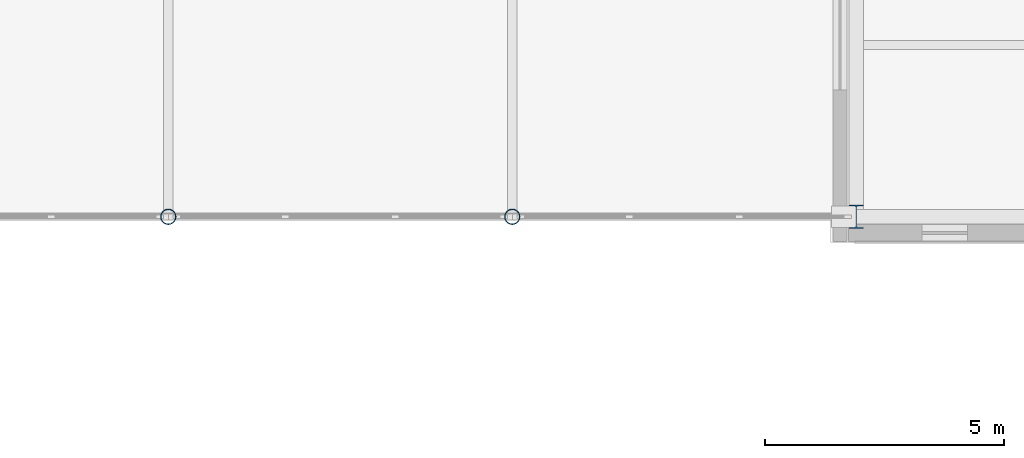
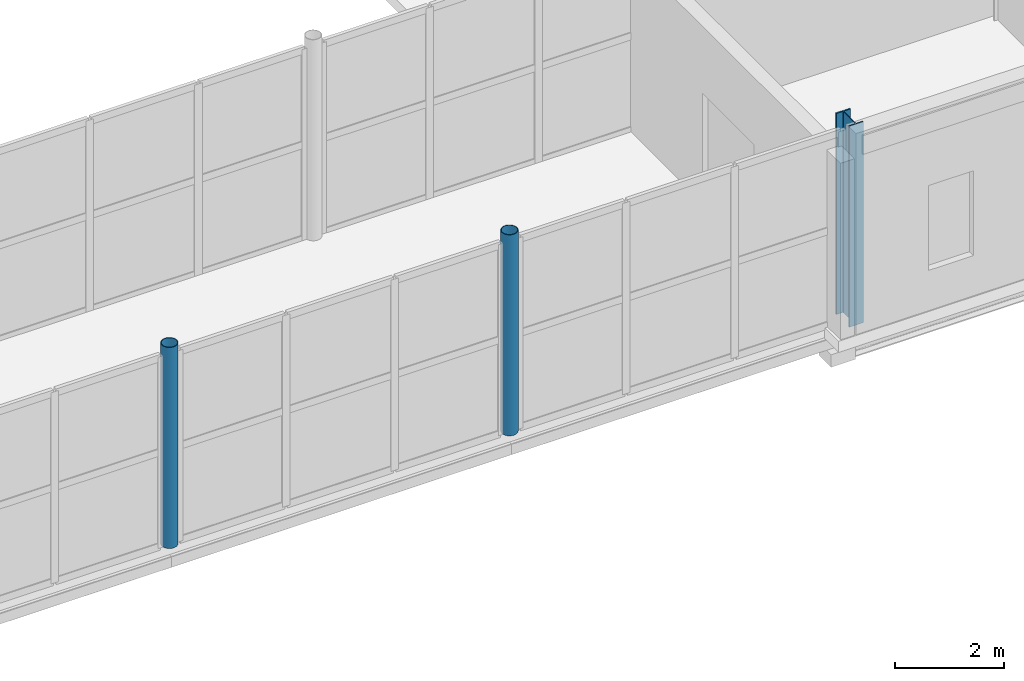
# One storey, part 11 of 92: 3 columns.
"""IFC4 building model written with IfcOpenShell, lengths in metres."""

from ifc_helpers import new_model, si_unit, direction, frame, origin, origin_2d, place, context, subcontext, project, spatial, hollow_circle, i_section, extrude, material, material_profile, profile_set, type_object, element, save


model = new_model("IFC4")

# Units and contexts
model_context = context("Model", 3, precision=1e-05, world=origin(), true_north=direction((0.0, 1.0)))
body_context = subcontext(model_context, "Body", "Model", "MODEL_VIEW")
ifc_project = project(units=[si_unit("LENGTHUNIT", "METRE"), si_unit("AREAUNIT", "SQUARE_METRE"), si_unit("VOLUMEUNIT", "CUBIC_METRE"), si_unit("PLANEANGLEUNIT", "RADIAN"), si_unit("MASSUNIT", "GRAM", prefix="KILO")], contexts=[model_context])

# Site, building, storey
site_placement = place(None, origin())
site = spatial("IfcSite", under=ifc_project, at=site_placement, CompositionType="ELEMENT")
building_placement = place(site_placement, origin())
building = spatial("IfcBuilding", under=site, at=building_placement, Name="Zlatovets Crest Museum", CompositionType="ELEMENT")
storey_placement = place(building_placement, origin())
storey = spatial("IfcBuildingStorey", under=building, at=storey_placement, Name="L00", CompositionType="ELEMENT", Elevation=0.0)

# Columns
ifc_material = material(Name="Structural steel S355J2", Category="steel")
ifc_material_profile_1 = material_profile(ifc_material, i_section(OverallWidth=0.300048828125, OverallDepth=0.5, WebThickness=0.014404296875, FlangeThickness=0.028076171875, FilletRadius=0.027099609375, at=origin_2d()), Name="HEB 500")
ifc_profile_set_1 = profile_set([ifc_material_profile_1], Name="Structural steel S355J2")
column_type_1 = type_object("IfcColumnType", Name="Col_C-05", PredefinedType="COLUMN", material=ifc_profile_set_1)
column_placement = place(storey_placement, frame((57.60009765625, 86.39990234375, 0.0), z_axis=(0.0, 0.0, 1.0), x_axis=(1.0, 0.0, 0.0)))
element("IfcColumn", 1, at=column_placement, inside=storey, type_object=column_type_1, Name="V1 L00 Column (57.6, 86.4)", PredefinedType="COLUMN", context=body_context, shape_type="SweptSolid", body=[
    extrude(i_section(OverallWidth=0.300048828125, OverallDepth=0.5, WebThickness=0.014404296875, FlangeThickness=0.028076171875, FilletRadius=0.027099609375, at=origin_2d()), origin(), (0.0, 0.0, 1.0), 4.5),
])
ifc_material_profile_2 = material_profile(ifc_material, hollow_circle(Radius=0.161865234375, WallThickness=0.012451171875, at=origin_2d()), Name="CHS 323.9x12.5")
ifc_profile_set_2 = profile_set([ifc_material_profile_2], Name="Structural steel S355J2")
column_type_2 = type_object("IfcColumnType", Name="Col_C-13", PredefinedType="COLUMN", material=ifc_profile_set_2)
for number, where, z_axis, x_axis, name in (
    (2, (43.199951171875, 86.39990234375, 0.0), (0.0, 0.0, 1.0), (1.0, 0.0, 0.0), "Northwest Crest Glazed Link Bridge Portal Column"),
    (3, (50.39990234375, 86.39990234375, 0.0), (0.0, 0.0, 1.0), (1.0, 0.0, 0.0), "Northwest Crest Glazed Link Bridge Portal Column"),
):
    element("IfcColumn", number, at=place(storey_placement, frame(where, z_axis=z_axis, x_axis=x_axis)), inside=storey, type_object=column_type_2, Name=name, PredefinedType="COLUMN", context=body_context, shape_type="SweptSolid", body=[
        extrude(hollow_circle(Radius=0.161865234375, WallThickness=0.012451171875, at=origin_2d()), origin(), (0.0, 0.0, 1.0), 4.5),
    ])

save(model, "model.ifc")
